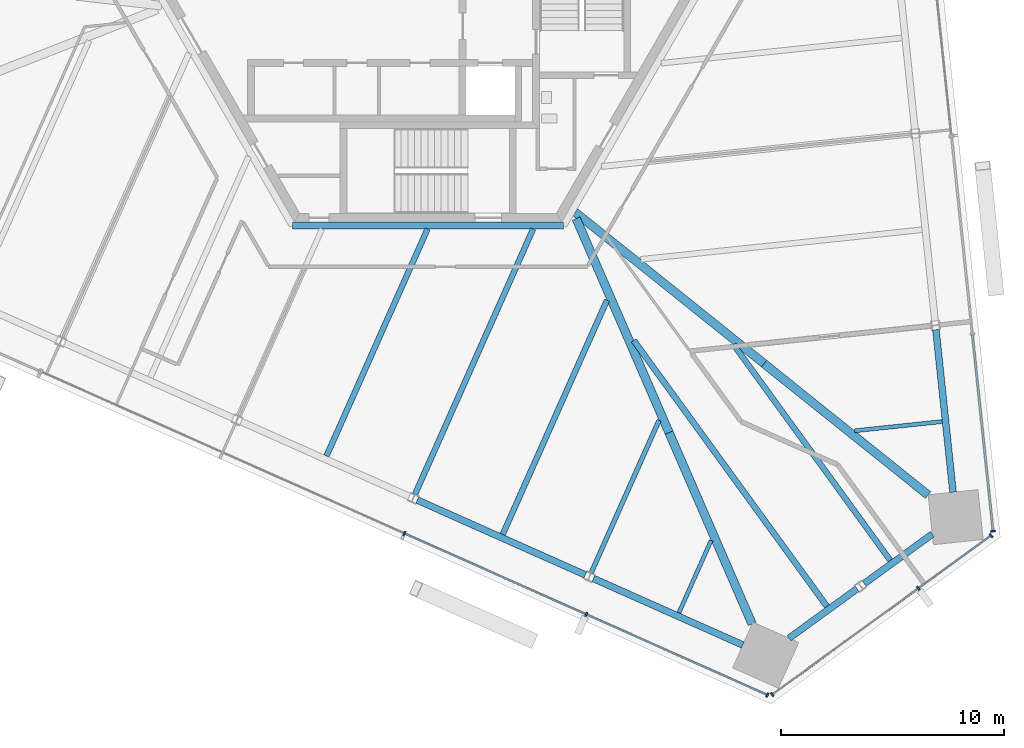
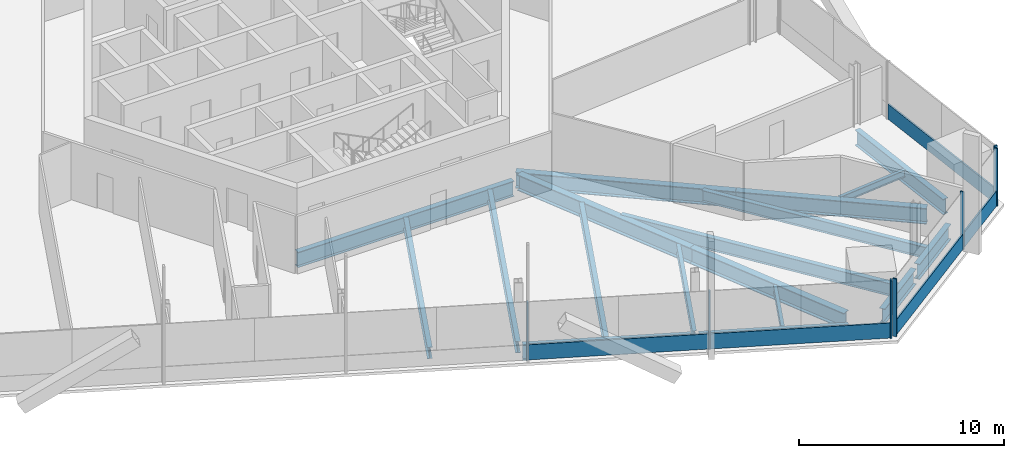
# One storey, part 5 of 21: 18 beams, 12 members, 3 elements without a shape of their own.
"""IFC4 building model written with IfcOpenShell, lengths in metres."""

from ifc_helpers import new_model, si_unit, direction, frame, origin, origin_2d, place, context, subcontext, project, spatial, rectangle, i_section, extrude, source, transform, mapped, material, material_profile, profile_set, type_object, element, aggregate, save


model = new_model("IFC4")

# Units and contexts
model_context = context("Model", 3, precision=1e-05, world=origin(), true_north=direction((0.0, 1.0)))
body_context = subcontext(model_context, "Body", "Model", "MODEL_VIEW")
ifc_project = project(units=[si_unit("LENGTHUNIT", "METRE"), si_unit("AREAUNIT", "SQUARE_METRE"), si_unit("VOLUMEUNIT", "CUBIC_METRE"), si_unit("PLANEANGLEUNIT", "RADIAN"), si_unit("MASSUNIT", "GRAM", prefix="KILO")], contexts=[model_context])

# Site, building, storey
site_placement = place(None, origin())
site = spatial("IfcSite", under=ifc_project, at=site_placement, CompositionType="ELEMENT")
building_placement = place(site_placement, origin())
building = spatial("IfcBuilding", under=site, at=building_placement, Name="Triune Harvest Tower", CompositionType="ELEMENT")
storey_placement = place(building_placement, frame((0.0, 0.0, 65.699951171875)))
storey = spatial("IfcBuildingStorey", under=building, at=storey_placement, Name="L15", CompositionType="ELEMENT", Elevation=65.699951171875)

# Beams
ifc_material_1 = material(Name="Steel ASTM A992 Gr 50", Category="steel")
ifc_material_profile_1 = material_profile(ifc_material_1, i_section(OverallWidth=0.3046875, OverallDepth=0.914306640625, WebThickness=0.0166015625, FlangeThickness=0.02587890625, at=origin_2d()), Name="W36x160")
ifc_profile_set_1 = profile_set([ifc_material_profile_1], Name="Steel ASTM A992 Gr 50")
beam_type_1 = type_object("IfcBeamType", Name="CG-1 Core ring girder W36x160", PredefinedType="BEAM", material=ifc_profile_set_1)
shared_shape_1 = source(origin(), body_context, "Body", "SweptSolid", [
    extrude(i_section(OverallWidth=0.3046875, OverallDepth=0.914306640625, WebThickness=0.0166015625, FlangeThickness=0.02587890625, at=origin_2d()), origin(), (0.0, 0.0, 1.0), 12.17578125),
])
beam_1_placement = place(storey_placement, frame((-6.087890625, -10.544677734375, -0.6171875), z_axis=(1.0, 0.0, 0.0), x_axis=(0.0, 1.0, 0.0)))
element("IfcBeam", 1, at=beam_1_placement, inside=storey, type_object=beam_type_1, Name="beam/L15/CG5", PredefinedType="BEAM", context=body_context, shape_type="MappedRepresentation", body=[
    mapped(shared_shape_1, transform((0.0, 0.0, 0.0), scale=1.0)),
])
ifc_material_2 = material(Name="Steel ASTM A992 Gr 50", Category="steel")
ifc_material_profile_2 = material_profile(ifc_material_2, i_section(OverallWidth=0.383544921875, OverallDepth=0.9423828125, WebThickness=0.022216796875, FlangeThickness=0.039794921875, at=origin_2d()), Name="W36x232")
ifc_profile_set_2 = profile_set([ifc_material_profile_2], Name="Steel ASTM A992 Gr 50")
beam_type_2 = type_object("IfcBeamType", Name="HG-1 Hip girder W36x232", PredefinedType="BEAM", material=ifc_profile_set_2)
shared_shape_2 = source(origin(), body_context, "Body", "SweptSolid", [
    extrude(i_section(OverallWidth=0.383544921875, OverallDepth=0.9423828125, WebThickness=0.022216796875, FlangeThickness=0.039794921875, at=origin_2d()), origin(), (0.0, 0.0, 1.0), 10.8701171875),
])
beam_2_placement = place(storey_placement, frame((15.0908203125, -16.745849609375, -0.631103515625), z_axis=(-0.780344837212, 0.625349450337, 0.0), x_axis=(-0.625349450337, -0.780344837212, 0.0)))
element("IfcBeam", 2, at=beam_2_placement, inside=storey, type_object=beam_type_2, Name="beam/L15/HG2", PredefinedType="BEAM", context=body_context, shape_type="MappedRepresentation", body=[
    mapped(shared_shape_2, transform((0.0, 0.0, 0.0), scale=1.0)),
])
shared_shape_3 = source(origin(), body_context, "Body", "SweptSolid", [
    extrude(i_section(OverallWidth=0.383544921875, OverallDepth=0.9423828125, WebThickness=0.022216796875, FlangeThickness=0.039794921875, at=origin_2d()), origin(), (0.0, 0.0, 1.0), 10.48291015625),
])
beam_3_placement = place(storey_placement, frame((10.824462890625, -19.84521484375, -0.631103515625), z_axis=(-0.39806686292, 0.917356404374, 0.0), x_axis=(-0.917356404374, -0.39806686292, 0.0)))
element("IfcBeam", 3, at=beam_3_placement, inside=storey, type_object=beam_type_2, Name="beam/L15/HG8", PredefinedType="BEAM", context=body_context, shape_type="MappedRepresentation", body=[
    mapped(shared_shape_3, transform((0.0, 0.0, 0.0), scale=1.0)),
])
ifc_material_3 = material(Name="Steel ASTM A992 Gr 50", Category="steel")
ifc_material_profile_3 = material_profile(ifc_material_3, i_section(OverallWidth=0.3046875, OverallDepth=0.914306640625, WebThickness=0.0166015625, FlangeThickness=0.02587890625, at=origin_2d()), Name="W36x160")
ifc_profile_set_3 = profile_set([ifc_material_profile_3], Name="Steel ASTM A992 Gr 50")
beam_type_3 = type_object("IfcBeamType", Name="SB-1 Spandrel beam W36x160", PredefinedType="SPANDREL", material=ifc_profile_set_3)
shared_shape_4 = source(origin(), body_context, "Body", "SweptSolid", [
    extrude(i_section(OverallWidth=0.3046875, OverallDepth=0.914306640625, WebThickness=0.0166015625, FlangeThickness=0.02587890625, at=origin_2d()), origin(), (0.0, 0.0, 1.0), 7.337890625),
])
for number, where, z_axis, x_axis, name in (
    (4, (23.57568359375, -22.520751953125, -0.6171875), (-0.104539300002, 0.994520756322, 0.0), (-0.994520756322, -0.104539300002, 0.0), "beam/L15/SB1"),
    (5, (7.4296875, -26.396484375, -0.6171875), (0.913546560881, -0.406734165153, 0.0), (0.406734165153, 0.913546560881, 0.0), "beam/L15/SB22"),
):
    element("IfcBeam", number, at=place(storey_placement, frame(where, z_axis=z_axis, x_axis=x_axis)), inside=storey, type_object=beam_type_3, Name=name, PredefinedType="SPANDREL", context=body_context, shape_type="MappedRepresentation", body=[
        mapped(shared_shape_4, transform((0.0, 0.0, 0.0), scale=1.0)),
    ])
shared_shape_5 = source(origin(), body_context, "Body", "SweptSolid", [
    extrude(i_section(OverallWidth=0.3046875, OverallDepth=0.914306640625, WebThickness=0.0166015625, FlangeThickness=0.02587890625, at=origin_2d()), origin(), (0.0, 0.0, 1.0), 8.263427734375),
])
beam_4_placement = place(storey_placement, frame((-0.483642578125, -22.873291015625, -0.6171875), z_axis=(0.913544537455, -0.406738709846, 0.0), x_axis=(0.406738709846, 0.913544537455, 0.0)))
element("IfcBeam", 6, at=beam_4_placement, inside=storey, type_object=beam_type_3, Name="beam/L15/SB21", PredefinedType="SPANDREL", context=body_context, shape_type="MappedRepresentation", body=[
    mapped(shared_shape_5, transform((0.0, 0.0, 0.0), scale=1.0)),
])
shared_shape_6 = source(origin(), body_context, "Body", "SweptSolid", [
    extrude(i_section(OverallWidth=0.3046875, OverallDepth=0.914306640625, WebThickness=0.0166015625, FlangeThickness=0.02587890625, at=origin_2d()), origin(), (0.0, 0.0, 1.0), 3.77490234375),
])
for number, where, z_axis, x_axis, name in (
    (7, (16.2119140625, -29.0751953125, -0.6171875), (0.809026850732, 0.587771685942, 0.0), (-0.587771685942, 0.809026850732, 0.0), "beam/L15/SB23"),
    (8, (19.58837890625, -26.6220703125, -0.6171875), (0.809026850732, 0.587771685942, 0.0), (-0.587771685942, 0.809026850732, 0.0), "beam/L15/SB24"),
):
    element("IfcBeam", number, at=place(storey_placement, frame(where, z_axis=z_axis, x_axis=x_axis)), inside=storey, type_object=beam_type_3, Name=name, PredefinedType="SPANDREL", context=body_context, shape_type="MappedRepresentation", body=[
        mapped(shared_shape_6, transform((0.0, 0.0, 0.0), scale=1.0)),
    ])
shared_shape_7 = source(origin(), body_context, "Body", "SweptSolid", [
    extrude(i_section(OverallWidth=0.383544921875, OverallDepth=0.9423828125, WebThickness=0.022216796875, FlangeThickness=0.039794921875, at=origin_2d()), origin(), (0.0, 0.0, 1.0), 9.44091796875),
])
beam_5_placement = place(storey_placement, frame((22.4580078125, -22.649658203125, -0.631103515625), z_axis=(-0.780348817967, 0.625344482903, 0.0), x_axis=(-0.625344482903, -0.780348817967, 0.0)))
element("IfcBeam", 9, at=beam_5_placement, inside=storey, type_object=beam_type_2, Name="beam/L15/HG1", PredefinedType="BEAM", context=body_context, shape_type="MappedRepresentation", body=[
    mapped(shared_shape_7, transform((0.0, 0.0, 0.0), scale=1.0)),
])
shared_shape_8 = source(origin(), body_context, "Body", "SweptSolid", [
    extrude(i_section(OverallWidth=0.383544921875, OverallDepth=0.9423828125, WebThickness=0.022216796875, FlangeThickness=0.039794921875, at=origin_2d()), origin(), (0.0, 0.0, 1.0), 9.366943359375),
])
beam_6_placement = place(storey_placement, frame((14.552978515625, -28.43798828125, -0.631103515625), z_axis=(-0.398055044024, 0.917361532836, 0.0), x_axis=(-0.917361532836, -0.398055044024, 0.0)))
element("IfcBeam", 10, at=beam_6_placement, inside=storey, type_object=beam_type_2, Name="beam/L15/HG7", PredefinedType="BEAM", context=body_context, shape_type="MappedRepresentation", body=[
    mapped(shared_shape_8, transform((0.0, 0.0, 0.0), scale=1.0)),
])
ifc_material_4 = material(Name="Steel ASTM A992 Gr 50", Category="steel")
ifc_material_profile_4 = material_profile(ifc_material_4, i_section(OverallWidth=0.180908203125, OverallDepth=0.41650390625, WebThickness=0.010986328125, FlangeThickness=0.01806640625, at=origin_2d()), Name="W16x57")
ifc_profile_set_4 = profile_set([ifc_material_profile_4], Name="Steel ASTM A992 Gr 50")
beam_type_4 = type_object("IfcBeamType", Name="JT-1 Floor joist W16x57", PredefinedType="JOIST", material=ifc_profile_set_4)
shared_shape_9 = source(origin(), body_context, "Body", "SweptSolid", [
    extrude(i_section(OverallWidth=0.180908203125, OverallDepth=0.41650390625, WebThickness=0.010986328125, FlangeThickness=0.01806640625, at=origin_2d()), origin(), (0.0, 0.0, 1.0), 3.95068359375),
])
beam_7_placement = place(storey_placement, frame((23.089111328125, -19.34814453125, -0.3681640625), z_axis=(-0.994524737495, -0.104501418698, 0.0), x_axis=(0.104501418698, -0.994524737495, 0.0)))
element("IfcBeam", 11, at=beam_7_placement, inside=storey, type_object=beam_type_4, Name="beam/L15/JT1", PredefinedType="JOIST", context=body_context, shape_type="MappedRepresentation", body=[
    mapped(shared_shape_9, transform((0.0, 0.0, 0.0), scale=1.0)),
])
ifc_material_5 = material(Name="Steel ASTM A992 Gr 50", Category="steel")
ifc_material_profile_5 = material_profile(ifc_material_5, i_section(OverallWidth=0.253662109375, OverallDepth=0.683349609375, WebThickness=0.012451171875, FlangeThickness=0.01904296875, at=origin_2d()), Name="W27x94")
ifc_profile_set_5 = profile_set([ifc_material_profile_5], Name="Steel ASTM A992 Gr 50")
beam_type_5 = type_object("IfcBeamType", Name="JT-4 Floor joist W27x94", PredefinedType="JOIST", material=ifc_profile_set_5)
shared_shape_10 = source(origin(), body_context, "Body", "SweptSolid", [
    extrude(i_section(OverallWidth=0.253662109375, OverallDepth=0.683349609375, WebThickness=0.012451171875, FlangeThickness=0.01904296875, at=origin_2d()), origin(), (0.0, 0.0, 1.0), 11.51123046875),
])
beam_8_placement = place(storey_placement, frame((3.352783203125, -24.414794921875, -0.50146484375), z_axis=(0.406740530162, 0.91354372699, 0.0), x_axis=(-0.91354372699, 0.406740530162, 0.0)))
element("IfcBeam", 12, at=beam_8_placement, inside=storey, type_object=beam_type_5, Name="beam/L15/JT35", PredefinedType="JOIST", context=body_context, shape_type="MappedRepresentation", body=[
    mapped(shared_shape_10, transform((0.0, 0.0, 0.0), scale=1.0)),
])
shared_shape_11 = source(origin(), body_context, "Body", "SweptSolid", [
    extrude(i_section(OverallWidth=0.180908203125, OverallDepth=0.41650390625, WebThickness=0.010986328125, FlangeThickness=0.01806640625, at=origin_2d()), origin(), (0.0, 0.0, 1.0), 3.562255859375),
])
beam_9_placement = place(storey_placement, frame((11.26611328125, -27.93798828125, -0.3681640625), z_axis=(0.406767922158, 0.913531530656, 0.0), x_axis=(-0.913531530656, 0.406767922158, 0.0)))
element("IfcBeam", 13, at=beam_9_placement, inside=storey, type_object=beam_type_4, Name="beam/L15/JT37", PredefinedType="JOIST", context=body_context, shape_type="MappedRepresentation", body=[
    mapped(shared_shape_11, transform((0.0, 0.0, 0.0), scale=1.0)),
])
ifc_material_6 = material(Name="Steel ASTM A992 Gr 50", Category="steel")
ifc_material_profile_6 = material_profile(ifc_material_6, i_section(OverallWidth=0.2666015625, OverallDepth=0.7568359375, WebThickness=0.013916015625, FlangeThickness=0.019287109375, at=origin_2d()), Name="W30x108")
ifc_profile_set_6 = profile_set([ifc_material_profile_6], Name="Steel ASTM A992 Gr 50")
beam_type_6 = type_object("IfcBeamType", Name="JT-5 Floor joist W30x108", PredefinedType="JOIST", material=ifc_profile_set_6)
shared_shape_12 = source(origin(), body_context, "Body", "SweptSolid", [
    extrude(i_section(OverallWidth=0.2666015625, OverallDepth=0.7568359375, WebThickness=0.013916015625, FlangeThickness=0.019287109375, at=origin_2d()), origin(), (0.0, 0.0, 1.0), 14.766357421875),
])
beam_10_placement = place(storey_placement, frame((17.915283203125, -27.649169921875, -0.538330078125), z_axis=(-0.587783315485, 0.809018401544, 0.0), x_axis=(-0.809018401544, -0.587783315485, 0.0)))
element("IfcBeam", 14, at=beam_10_placement, inside=storey, type_object=beam_type_6, Name="beam/L15/JT38", PredefinedType="JOIST", context=body_context, shape_type="MappedRepresentation", body=[
    mapped(shared_shape_12, transform((0.0, 0.0, 0.0), scale=1.0)),
])
ifc_material_7 = material(Name="Steel ASTM A992 Gr 50", Category="steel")
ifc_material_profile_7 = material_profile(ifc_material_7, i_section(OverallWidth=0.2099609375, OverallDepth=0.535888671875, WebThickness=0.010986328125, FlangeThickness=0.017333984375, at=origin_2d()), Name="W21x68")
ifc_profile_set_7 = profile_set([ifc_material_profile_7], Name="Steel ASTM A992 Gr 50")
beam_type_7 = type_object("IfcBeamType", Name="JT-2 Floor joist W21x68", PredefinedType="JOIST", material=ifc_profile_set_7)
shared_shape_13 = source(origin(), body_context, "Body", "SweptSolid", [
    extrude(i_section(OverallWidth=0.2099609375, OverallDepth=0.535888671875, WebThickness=0.010986328125, FlangeThickness=0.017333984375, at=origin_2d()), origin(), (0.0, 0.0, 1.0), 7.4921875),
])
beam_11_placement = place(storey_placement, frame((7.32763671875, -26.1357421875, -0.427978515625), z_axis=(0.406737018568, 0.913545290463, 0.0), x_axis=(-0.913545290463, 0.406737018568, 0.0)))
element("IfcBeam", 15, at=beam_11_placement, inside=storey, type_object=beam_type_7, Name="beam/L15/JT36", PredefinedType="JOIST", context=body_context, shape_type="MappedRepresentation", body=[
    mapped(shared_shape_13, transform((0.0, 0.0, 0.0), scale=1.0)),
])
shared_shape_14 = source(origin(), body_context, "Body", "SweptSolid", [
    extrude(i_section(OverallWidth=0.253662109375, OverallDepth=0.683349609375, WebThickness=0.012451171875, FlangeThickness=0.01904296875, at=origin_2d()), origin(), (0.0, 0.0, 1.0), 11.159423828125),
])
beam_12_placement = place(storey_placement, frame((-4.560546875, -20.8916015625, -0.50146484375), z_axis=(0.406747338499, 0.913540695659, 0.0), x_axis=(-0.913540695659, 0.406747338499, 0.0)))
element("IfcBeam", 16, at=beam_12_placement, inside=storey, type_object=beam_type_5, Name="beam/L15/JT33", PredefinedType="JOIST", context=body_context, shape_type="MappedRepresentation", body=[
    mapped(shared_shape_14, transform((0.0, 0.0, 0.0), scale=1.0)),
])
shared_shape_15 = source(origin(), body_context, "Body", "SweptSolid", [
    extrude(i_section(OverallWidth=0.253662109375, OverallDepth=0.683349609375, WebThickness=0.012451171875, FlangeThickness=0.01904296875, at=origin_2d()), origin(), (0.0, 0.0, 1.0), 13.043212890625),
])
beam_13_placement = place(storey_placement, frame((-0.585693359375, -22.612548828125, -0.50146484375), z_axis=(0.40673927971, 0.913544283733, 0.0), x_axis=(-0.913544283733, 0.40673927971, 0.0)))
element("IfcBeam", 17, at=beam_13_placement, inside=storey, type_object=beam_type_5, Name="beam/L15/JT34", PredefinedType="JOIST", context=body_context, shape_type="MappedRepresentation", body=[
    mapped(shared_shape_15, transform((0.0, 0.0, 0.0), scale=1.0)),
])
shared_shape_16 = source(origin(), body_context, "Body", "SweptSolid", [
    extrude(i_section(OverallWidth=0.253662109375, OverallDepth=0.683349609375, WebThickness=0.012451171875, FlangeThickness=0.01904296875, at=origin_2d()), origin(), (0.0, 0.0, 1.0), 11.97802734375),
])
beam_14_placement = place(storey_placement, frame((20.759521484375, -25.582763671875, -0.50146484375), z_axis=(-0.587786239195, 0.809016277347, 0.0), x_axis=(-0.809016277347, -0.587786239195, 0.0)))
element("IfcBeam", 18, at=beam_14_placement, inside=storey, type_object=beam_type_5, Name="beam/L15/JT39", PredefinedType="JOIST", context=body_context, shape_type="MappedRepresentation", body=[
    mapped(shared_shape_16, transform((0.0, 0.0, 0.0), scale=1.0)),
])

# Curtain wall, member
ifc_material_8 = material(Name="Aluminium bronze anodised", Category="aluminium")
curtain_wall_type_1 = type_object("IfcCurtainWallType", Name="CW-7 Tower stick curtain wall with insulated spandrel infill", PredefinedType="NOTDEFINED", material=ifc_material_8)
curtain_wall_1_placement = place(storey_placement, origin())
curtain_wall_1 = element("IfcCurtainWall", 19, at=curtain_wall_1_placement, inside=storey, type_object=curtain_wall_type_1, Name="CW-7 B2-F1 L15 run 1")
ifc_material_9 = material(Name="Aluminium bronze anodised", Category="aluminium")
ifc_material_profile_8 = material_profile(ifc_material_9, rectangle(XDim=0.199951171875, YDim=0.074951171875, at=origin_2d()), Name="MU-1 mullion 75 x 200")
ifc_profile_set_8 = profile_set([ifc_material_profile_8], Name="Aluminium bronze anodised")
member_type_1 = type_object("IfcMemberType", Name="MU-1 mullion 75 x 200", PredefinedType="MULLION", material=ifc_profile_set_8)
shared_shape_17 = source(origin(), body_context, "Body", "SweptSolid", [
    extrude(rectangle(XDim=0.199951171875, YDim=0.074951171875, at=origin_2d()), origin(), (0.0, 0.0, 1.0), 3.43994140625),
])
member_1_placement = place(storey_placement, frame((25.373291015625, -24.2666015625, 0.0), z_axis=(0.0, 0.0, 1.0), x_axis=(-0.994522026204, -0.104527218444, 0.0)))
member_1 = element("IfcMember", 20, at=member_1_placement, type_object=member_type_1, Name="CW-7 mullion B2-F1 1.1", PredefinedType="MULLION", context=body_context, shape_type="MappedRepresentation", body=[
    mapped(shared_shape_17, transform((0.0, 0.0, 0.0), scale=1.0)),
])

# Curtain wall, members
ifc_material_10 = material(Name="Aluminium bronze anodised", Category="aluminium")
curtain_wall_type_2 = type_object("IfcCurtainWallType", Name="CW-1 Tower stick curtain wall", PredefinedType="NOTDEFINED", material=ifc_material_10)
curtain_wall_2_placement = place(storey_placement, origin())
curtain_wall_2 = element("IfcCurtainWall", 21, at=curtain_wall_2_placement, inside=storey, type_object=curtain_wall_type_2, Name="CW-1 B2-F5 L15 run 1001")
member_2_placement = place(storey_placement, frame((-1.063720703125, -24.372314453125, 0.0), z_axis=(0.0, 0.0, 1.0), x_axis=(0.406737189059, 0.913545214555, 0.0)))
member_2 = element("IfcMember", 22, at=member_2_placement, type_object=member_type_1, Name="CW-1 mullion B2-F5 1001.5", PredefinedType="MULLION", context=body_context, shape_type="MappedRepresentation", body=[
    mapped(shared_shape_17, transform((0.0, 0.0, 0.0), scale=1.0)),
])
member_3_placement = place(storey_placement, frame((7.104248046875, -28.0087890625, 0.0), z_axis=(0.0, 0.0, 1.0), x_axis=(0.406737189059, 0.913545214555, 0.0)))
member_3 = element("IfcMember", 23, at=member_3_placement, type_object=member_type_1, Name="CW-1 mullion B2-F5 1001.7", PredefinedType="MULLION", context=body_context, shape_type="MappedRepresentation", body=[
    mapped(shared_shape_17, transform((0.0, 0.0, 0.0), scale=1.0)),
])
member_4_placement = place(storey_placement, frame((15.23828125, -31.63037109375, 0.0), z_axis=(0.0, 0.0, 1.0), x_axis=(0.406737189059, 0.913545214555, 0.0)))
member_4 = element("IfcMember", 24, at=member_4_placement, type_object=member_type_1, Name="CW-1 mullion B2-F5 1001.9", PredefinedType="MULLION", context=body_context, shape_type="MappedRepresentation", body=[
    mapped(shared_shape_17, transform((0.0, 0.0, 0.0), scale=1.0)),
])

curtain_wall_3_placement = place(storey_placement, origin())
curtain_wall_3 = element("IfcCurtainWall", 25, at=curtain_wall_3_placement, inside=storey, type_object=curtain_wall_type_2, Name="CW-1 B2-F6 L15 run 1")
member_5_placement = place(storey_placement, frame((15.457763671875, -31.607177734375, 0.0), z_axis=(0.0, 0.0, 1.0), x_axis=(-0.58779042564, 0.809013235692, 0.0)))
member_5 = element("IfcMember", 26, at=member_5_placement, type_object=member_type_1, Name="CW-1 mullion B2-F6 1.1", PredefinedType="MULLION", context=body_context, shape_type="MappedRepresentation", body=[
    mapped(shared_shape_17, transform((0.0, 0.0, 0.0), scale=1.0)),
])
member_6_placement = place(storey_placement, frame((22.018310546875, -26.8408203125, 0.0), z_axis=(0.0, 0.0, 1.0), x_axis=(-0.58779042564, 0.809013235692, 0.0)))
member_6 = element("IfcMember", 27, at=member_6_placement, type_object=member_type_1, Name="CW-1 mullion B2-F6 1.3", PredefinedType="MULLION", context=body_context, shape_type="MappedRepresentation", body=[
    mapped(shared_shape_17, transform((0.0, 0.0, 0.0), scale=1.0)),
])
member_7_placement = place(storey_placement, frame((25.283447265625, -24.468505859375, 0.0), z_axis=(0.0, 0.0, 1.0), x_axis=(-0.58779042564, 0.809013235692, 0.0)))
member_7 = element("IfcMember", 28, at=member_7_placement, type_object=member_type_1, Name="CW-1 mullion B2-F6 1.4", PredefinedType="MULLION", context=body_context, shape_type="MappedRepresentation", body=[
    mapped(shared_shape_17, transform((0.0, 0.0, 0.0), scale=1.0)),
])
ifc_material_11 = material(Name="Aluminium bronze anodised", Category="aluminium")
ifc_material_profile_9 = material_profile(ifc_material_11, rectangle(XDim=0.090087890625, YDim=0.89990234375, at=origin_2d()), Name="TR-1 transom 90 x 900")
ifc_profile_set_9 = profile_set([ifc_material_profile_9], Name="Aluminium bronze anodised")
member_type_2 = type_object("IfcMemberType", Name="TR-1 transom 90 x 900", PredefinedType="USERDEFINED", material=ifc_profile_set_9)
shared_shape_18 = source(origin(), body_context, "Body", "SweptSolid", [
    extrude(rectangle(XDim=0.090087890625, YDim=0.89990234375, at=origin_2d()), origin(), (0.0, 0.0, 1.0), 8.0341796875),
])
member_8_placement = place(storey_placement, frame((15.48828125, -31.585205078125, 0.449951171875), z_axis=(0.809013262196, 0.587790389162, 0.0), x_axis=(-0.587790389162, 0.809013262196, 0.0)))
member_8 = element("IfcMember", 29, at=member_8_placement, type_object=member_type_2, Name="CW-1 transom B2-F6 1.1", ObjectType="TRANSOM", PredefinedType="USERDEFINED", context=body_context, shape_type="MappedRepresentation", body=[
    mapped(shared_shape_18, transform((0.0, 0.0, 0.0), scale=1.0)),
])
shared_shape_19 = source(origin(), body_context, "Body", "SweptSolid", [
    extrude(rectangle(XDim=0.090087890625, YDim=0.89990234375, at=origin_2d()), origin(), (0.0, 0.0, 1.0), 3.9609375),
])
member_9_placement = place(storey_placement, frame((22.048583984375, -26.818603515625, 0.449951171875), z_axis=(0.809034498415, 0.587761159294, 0.0), x_axis=(-0.587761159294, 0.809034498415, 0.0)))
member_9 = element("IfcMember", 30, at=member_9_placement, type_object=member_type_2, Name="CW-1 transom B2-F6 1.2", ObjectType="TRANSOM", PredefinedType="USERDEFINED", context=body_context, shape_type="MappedRepresentation", body=[
    mapped(shared_shape_19, transform((0.0, 0.0, 0.0), scale=1.0)),
])
aggregate(curtain_wall_3, [member_5, member_6, member_7, member_8, member_9])

# Member
shared_shape_20 = source(origin(), body_context, "Body", "SweptSolid", [
    extrude(rectangle(XDim=0.090087890625, YDim=0.89990234375, at=origin_2d()), origin(), (0.0, 0.0, 1.0), 8.828369140625),
])
member_10_placement = place(storey_placement, frame((7.138671875, -28.024169921875, 0.449951171875), z_axis=(0.91354678953, -0.406733651594, 0.0), x_axis=(0.406733651594, 0.91354678953, 0.0)))
member_10 = element("IfcMember", 31, at=member_10_placement, type_object=member_type_2, Name="CW-1 transom B2-F5 1001.4", ObjectType="TRANSOM", PredefinedType="USERDEFINED", context=body_context, shape_type="MappedRepresentation", body=[
    mapped(shared_shape_20, transform((0.0, 0.0, 0.0), scale=1.0)),
])

shared_shape_21 = source(origin(), body_context, "Body", "SweptSolid", [
    extrude(rectangle(XDim=0.090087890625, YDim=0.89990234375, at=origin_2d()), origin(), (0.0, 0.0, 1.0), 8.8662109375),
])
member_11_placement = place(storey_placement, frame((-1.029541015625, -24.387451171875, 0.449951171875), z_axis=(0.913544504695, -0.406738783423, 0.0), x_axis=(0.406738783423, 0.913544504695, 0.0)))
member_11 = element("IfcMember", 32, at=member_11_placement, type_object=member_type_2, Name="CW-1 transom B2-F5 1001.3", ObjectType="TRANSOM", PredefinedType="USERDEFINED", context=body_context, shape_type="MappedRepresentation", body=[
    mapped(shared_shape_21, transform((0.0, 0.0, 0.0), scale=1.0)),
])

aggregate(curtain_wall_2, [member_2, member_3, member_4, member_11, member_10])

shared_shape_22 = source(origin(), body_context, "Body", "SweptSolid", [
    extrude(rectangle(XDim=0.090087890625, YDim=0.89990234375, at=origin_2d()), origin(), (0.0, 0.0, 1.0), 8.828857421875),
])
member_12_placement = place(storey_placement, frame((25.369384765625, -24.2294921875, 0.449951171875), z_axis=(-0.104526444227, 0.994522107576, 0.0), x_axis=(-0.994522107576, -0.104526444227, 0.0)))
member_12 = element("IfcMember", 33, at=member_12_placement, type_object=member_type_2, Name="CW-7 transom B2-F1 1.1", ObjectType="TRANSOM", PredefinedType="USERDEFINED", context=body_context, shape_type="MappedRepresentation", body=[
    mapped(shared_shape_22, transform((0.0, 0.0, 0.0), scale=1.0)),
])

aggregate(curtain_wall_1, [member_1, member_12])

save(model, "model.ifc")
